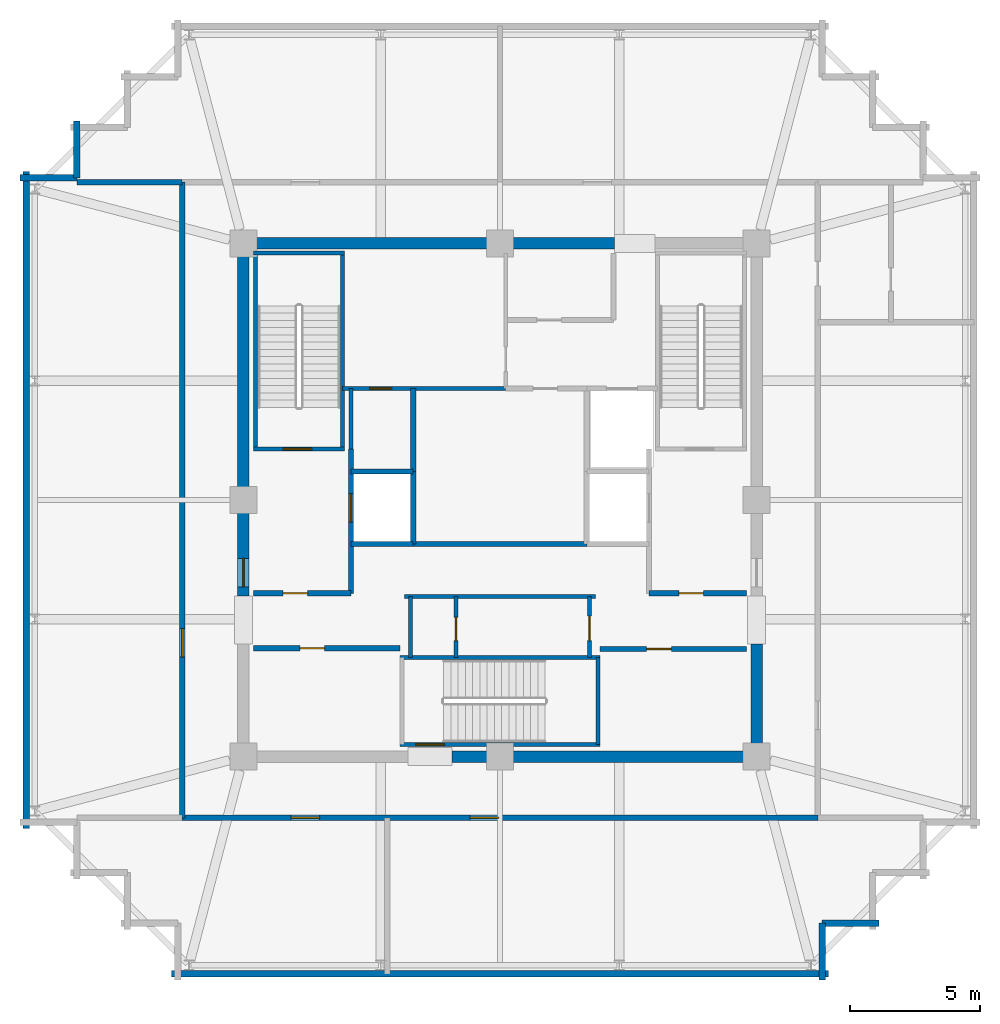
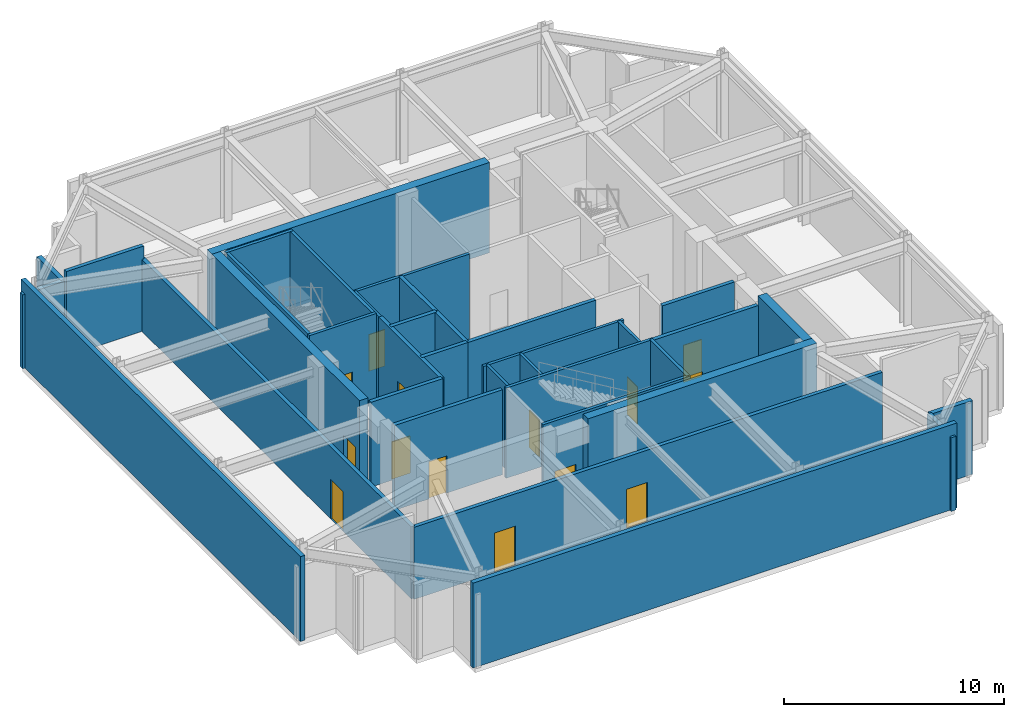
# One storey, part 2 of 5: 36 walls, 14 doors, 14 openings.
"""IFC4 building model written with IfcOpenShell, lengths in metres."""

from ifc_helpers import new_model, si_unit, direction, frame, frame_2d, origin, place, context, subcontext, project, spatial, rectangle, extrude, material, layer, layer_set, type_object, element, fill, save


model = new_model("IFC4")

# Units and contexts
model_context = context("Model", 3, precision=1e-05, world=origin(), true_north=direction((0.0, 1.0)))
body_context = subcontext(model_context, "Body", "Model", "MODEL_VIEW")
ifc_project = project(units=[si_unit("LENGTHUNIT", "METRE"), si_unit("AREAUNIT", "SQUARE_METRE"), si_unit("VOLUMEUNIT", "CUBIC_METRE"), si_unit("PLANEANGLEUNIT", "RADIAN"), si_unit("MASSUNIT", "GRAM", prefix="KILO")], contexts=[model_context])

# Site, building, storey
site_placement = place(None, origin())
site = spatial("IfcSite", under=ifc_project, at=site_placement, CompositionType="ELEMENT")
building_placement = place(site_placement, origin())
building = spatial("IfcBuilding", under=site, at=building_placement, Name="Kolvaren Belvedere", CompositionType="ELEMENT")
storey_placement = place(building_placement, frame((0.0, 0.0, 277.39990234375)))
storey = spatial("IfcBuildingStorey", under=building, at=storey_placement, Name="L79", CompositionType="ELEMENT", Elevation=277.39990234375)

# Walls
ifc_material_1 = material(Name="Concrete C50/60", Category="concrete")
ifc_layer_1 = layer(ifc_material_1, 0.449951171875)
ifc_layer_set_1 = layer_set([ifc_layer_1], Name="Concrete C50/60")
wall_type_1 = type_object("IfcWallType", Name="CW-CORE-450", PredefinedType="SHEAR", material=ifc_layer_set_1)
wall_1_placement = place(storey_placement, frame((10.125, -9.89990234375, 0.0), z_axis=(0.0, 0.0, 1.0), x_axis=(-1.0, 0.0, 0.0)))
element("IfcWall", 1, at=wall_1_placement, inside=storey, type_object=wall_type_1, Name="L79 South Core Shear Wall 1", PredefinedType="SHEAR", context=body_context, shape_type="SweptSolid", body=[
    extrude(rectangle(XDim=11.985107421875, YDim=0.449951171875, at=frame_2d((5.99267578125, 0.0))), origin(), (0.0, 0.0, 1.0), 5.0),
])
wall_2_placement = place(storey_placement, frame((-10.125, 9.89990234375, 0.0), z_axis=(0.0, 0.0, 1.0), x_axis=(1.0, 0.0, 0.0)))
element("IfcWall", 2, at=wall_2_placement, inside=storey, type_object=wall_type_1, Name="L79 North Core Shear Wall 1", PredefinedType="SHEAR", context=body_context, shape_type="SweptSolid", body=[
    extrude(rectangle(XDim=14.544921875, YDim=0.449951171875, at=frame_2d((7.2724609375, 0.0))), origin(), (0.0, 0.0, 1.0), 5.0),
])
wall_3_placement = place(storey_placement, frame((9.89990234375, -9.675048828125, 0.0), z_axis=(0.0, 0.0, 1.0), x_axis=(0.0, 1.0, 0.0)))
element("IfcWall", 3, at=wall_3_placement, inside=storey, type_object=wall_type_1, Name="L79 East Core Shear Wall 1", PredefinedType="SHEAR", context=body_context, shape_type="SweptSolid", body=[
    extrude(rectangle(XDim=4.125, YDim=0.449951171875, at=frame_2d((2.0625, 0.0))), origin(), (0.0, 0.0, 1.0), 5.0),
])

# Wall, opening, door
wall_4_placement = place(storey_placement, frame((-9.89990234375, -3.699951171875, 0.0), z_axis=(0.0, 0.0, 1.0), x_axis=(0.0, 1.0, 0.0)))
wall_4 = element("IfcWall", 4, at=wall_4_placement, inside=storey, type_object=wall_type_1, Name="L79 West Core Shear Wall 2", PredefinedType="SHEAR", context=body_context, shape_type="SweptSolid", body=[
    extrude(rectangle(XDim=13.375, YDim=0.449951171875, at=frame_2d((6.6875, 0.0))), origin(), (0.0, 0.0, 1.0), 5.0),
])
opening_1_placement = place(wall_4_placement, frame((0.35009765625, 0.0, 0.0)))
opening_1 = element("IfcOpeningElement", 5, at=opening_1_placement, cuts=wall_4, Name="Opening D-FD90", PredefinedType="OPENING", context=body_context, shape_type="SweptSolid", body=[
    extrude(rectangle(XDim=1.10009765625, YDim=2.199951171875, at=frame_2d((0.550048828125, 1.10009765625))), frame((0.0, 0.23486328125, 0.0), z_axis=(0.0, -1.0, 0.0), x_axis=(1.0, 0.0, 0.0)), (0.0, 0.0, 1.0), 0.469970703125),
])
ifc_material_2 = material(Name="Painted hollow stainless steel", Category="steel")
door_type_1 = type_object("IfcDoorType", Name="DR-FD90-1100", OperationType="NOTDEFINED", PredefinedType="DOOR", material=ifc_material_2)
door_1_placement = place(opening_1_placement, origin())
door_1 = element("IfcDoor", 6, at=door_1_placement, inside=storey, type_object=door_type_1, Name="L79 West Firefighting Lobby Fire Door", OperationType="SINGLE_SWING_LEFT", OverallHeight=2.199951171875, OverallWidth=1.10009765625, PredefinedType="DOOR", context=body_context, shape_type="SweptSolid", body=[
    extrude(rectangle(XDim=1.10009765625, YDim=2.199951171875, at=frame_2d((0.550048828125, 1.10009765625))), frame((0.0, 0.02490234375, 0.0), z_axis=(0.0, -1.0, 0.0), x_axis=(1.0, 0.0, 0.0)), (0.0, 0.0, 1.0), 0.050048828125),
])
fill(opening_1, door_1)

ifc_material_3 = material(Name="Concrete C50/60", Category="concrete")
ifc_layer_2 = layer(ifc_material_3, 0.159912109375)
ifc_layer_set_2 = layer_set([ifc_layer_2], Name="Concrete C50/60")
wall_type_2 = type_object("IfcWallType", Name="CW-STAIR-160", PredefinedType="SHEAR", material=ifc_layer_set_2)
wall_5_placement = place(storey_placement, frame((-9.52001953125, 1.969970703125, 0.0), z_axis=(0.0, 0.0, 1.0), x_axis=(1.0, 0.0, 0.0)))
wall_5 = element("IfcWall", 7, at=wall_5_placement, inside=storey, type_object=wall_type_2, Name="L79 Stair ST-1 South Shear Wall", PredefinedType="SHEAR", context=body_context, shape_type="SweptSolid", body=[
    extrude(rectangle(XDim=3.52001953125, YDim=0.159912109375, at=frame_2d((1.760009765625, 0.0))), origin(), (0.0, 0.0, 1.0), 5.0),
])
opening_2_placement = place(wall_5_placement, frame((1.14990234375, 0.0, 0.0)))
opening_2 = element("IfcOpeningElement", 8, at=opening_2_placement, cuts=wall_5, Name="Opening D-FD90", PredefinedType="OPENING", context=body_context, shape_type="SweptSolid", body=[
    extrude(rectangle(XDim=1.10009765625, YDim=2.199951171875, at=frame_2d((0.550048828125, 1.10009765625))), frame((0.0, 0.08984375, 0.0), z_axis=(0.0, -1.0, 0.0), x_axis=(1.0, 0.0, 0.0)), (0.0, 0.0, 1.0), 0.179931640625),
])
door_2_placement = place(opening_2_placement, origin())
door_2 = element("IfcDoor", 9, at=door_2_placement, inside=storey, type_object=door_type_1, Name="L79 Stair ST-1 Fire Door", OperationType="SINGLE_SWING_LEFT", OverallHeight=2.199951171875, OverallWidth=1.10009765625, PredefinedType="DOOR", context=body_context, shape_type="SweptSolid", body=[
    extrude(rectangle(XDim=1.10009765625, YDim=2.199951171875, at=frame_2d((0.550048828125, 1.10009765625))), frame((0.0, 0.02490234375, 0.0), z_axis=(0.0, -1.0, 0.0), x_axis=(1.0, 0.0, 0.0)), (0.0, 0.0, 1.0), 0.050048828125),
])
fill(opening_2, door_2)

# Walls
wall_6_placement = place(storey_placement, frame((-9.52001953125, 9.530029296875, 0.0), z_axis=(0.0, 0.0, 1.0), x_axis=(1.0, 0.0, 0.0)))
element("IfcWall", 10, at=wall_6_placement, inside=storey, type_object=wall_type_2, Name="L79 Stair ST-1 North Shear Wall", PredefinedType="SHEAR", context=body_context, shape_type="SweptSolid", body=[
    extrude(rectangle(XDim=3.52001953125, YDim=0.159912109375, at=frame_2d((1.760009765625, 0.0))), origin(), (0.0, 0.0, 1.0), 5.0),
])
for number, where, z_axis, x_axis, name in (
    (11, (-9.429931640625, 1.969970703125, 0.0), (0.0, 0.0, 1.0), (0.0, 1.0, 0.0), "L79 Stair ST-1 West Shear Wall"),
    (12, (-6.080078125, 1.969970703125, 0.0), (0.0, 0.0, 1.0), (0.0, 1.0, 0.0), "L79 Stair ST-1 East Shear Wall"),
):
    element("IfcWall", number, at=place(storey_placement, frame(where, z_axis=z_axis, x_axis=x_axis)), inside=storey, type_object=wall_type_2, Name=name, PredefinedType="SHEAR", context=body_context, shape_type="SweptSolid", body=[
        extrude(rectangle(XDim=7.56005859375, YDim=0.159912109375, at=frame_2d((3.780029296875, 0.0))), origin(), (0.0, 0.0, 1.0), 5.0),
    ])

# Wall, opening, door
wall_7_placement = place(storey_placement, frame((3.860107421875, -9.429931640625, 0.0), z_axis=(0.0, 0.0, 1.0), x_axis=(-1.0, 0.0, 0.0)))
wall_7 = element("IfcWall", 13, at=wall_7_placement, inside=storey, type_object=wall_type_2, Name="L79 Stair ST-3 South Shear Wall", PredefinedType="SHEAR", context=body_context, shape_type="SweptSolid", body=[
    extrude(rectangle(XDim=7.72021484375, YDim=0.159912109375, at=frame_2d((3.860107421875, 0.0))), origin(), (0.0, 0.0, 1.0), 5.0),
])
opening_3_placement = place(wall_7_placement, frame((6.010009765625, 0.0, 0.0)))
opening_3 = element("IfcOpeningElement", 14, at=opening_3_placement, cuts=wall_7, Name="Opening D-FD90", PredefinedType="OPENING", context=body_context, shape_type="SweptSolid", body=[
    extrude(rectangle(XDim=1.10009765625, YDim=2.199951171875, at=frame_2d((0.550048828125, 1.10009765625))), frame((0.0, 0.08984375, 0.0), z_axis=(0.0, -1.0, 0.0), x_axis=(1.0, 0.0, 0.0)), (0.0, 0.0, 1.0), 0.179931640625),
])
door_3_placement = place(opening_3_placement, origin())
door_3 = element("IfcDoor", 15, at=door_3_placement, inside=storey, type_object=door_type_1, Name="L79 Stair ST-3 Exit Door", OperationType="SINGLE_SWING_RIGHT", OverallHeight=2.199951171875, OverallWidth=1.10009765625, PredefinedType="DOOR", context=body_context, shape_type="SweptSolid", body=[
    extrude(rectangle(XDim=1.10009765625, YDim=2.199951171875, at=frame_2d((0.550048828125, 1.10009765625))), frame((0.0, 0.02490234375, 0.0), z_axis=(0.0, -1.0, 0.0), x_axis=(1.0, 0.0, 0.0)), (0.0, 0.0, 1.0), 0.050048828125),
])
fill(opening_3, door_3)

# Walls
wall_8_placement = place(storey_placement, frame((-3.860107421875, -6.080078125, 0.0), z_axis=(0.0, 0.0, 1.0), x_axis=(1.0, 0.0, 0.0)))
element("IfcWall", 16, at=wall_8_placement, inside=storey, type_object=wall_type_2, Name="L79 Stair ST-3 North Shear Wall", PredefinedType="SHEAR", context=body_context, shape_type="SweptSolid", body=[
    extrude(rectangle(XDim=7.72021484375, YDim=0.159912109375, at=frame_2d((3.860107421875, 0.0))), origin(), (0.0, 0.0, 1.0), 5.0),
])
wall_9_placement = place(storey_placement, frame((3.780029296875, -9.429931640625, 0.0), z_axis=(0.0, 0.0, 1.0), x_axis=(0.0, 1.0, 0.0)))
element("IfcWall", 17, at=wall_9_placement, inside=storey, type_object=wall_type_2, Name="L79 Stair ST-3 East Shear Wall", PredefinedType="SHEAR", context=body_context, shape_type="SweptSolid", body=[
    extrude(rectangle(XDim=3.349853515625, YDim=0.159912109375, at=frame_2d((1.6748046875, 0.0))), origin(), (0.0, 0.0, 1.0), 5.0),
])
ifc_material_4 = material(Name="Insulated acoustic pale-metal louvre wall", Category="aluminium")
ifc_layer_3 = layer(ifc_material_4, 0.239990234375)
ifc_layer_set_3 = layer_set([ifc_layer_3], Name="Insulated acoustic pale-metal louvre wall")
wall_type_3 = type_object("IfcWallType", Name="WL-LOUV-240", PredefinedType="STANDARD", material=ifc_layer_set_3)
wall_10_placement = place(storey_placement, frame((12.669921875, -18.280029296875, 0.0), z_axis=(0.0, 0.0, 1.0), x_axis=(-1.0, 0.0, 0.0)))
element("IfcWall", 18, at=wall_10_placement, inside=storey, type_object=wall_type_3, Name="L79 Acoustic Louvre Facade Wall 1", PredefinedType="STANDARD", context=body_context, shape_type="SweptSolid", body=[
    extrude(rectangle(XDim=25.33984375, YDim=0.239990234375, at=frame_2d((12.669921875, 0.0))), origin(), (0.0, 0.0, 1.0), 4.7001953125),
])
wall_11_placement = place(storey_placement, frame((12.429931640625, -16.330078125, 0.0), z_axis=(0.0, 0.0, 1.0), x_axis=(0.0, -1.0, 0.0)))
element("IfcWall", 19, at=wall_11_placement, inside=storey, type_object=wall_type_3, Name="L79 Acoustic Louvre Facade Wall 2", PredefinedType="STANDARD", context=body_context, shape_type="SweptSolid", body=[
    extrude(rectangle(XDim=2.18994140625, YDim=0.239990234375, at=frame_2d((1.094970703125, 0.0))), origin(), (0.0, 0.0, 1.0), 4.0830078125),
])
for number, where, z_axis, x_axis, name in (
    (20, (14.6201171875, -16.330078125, 0.0), (0.0, 0.0, 1.0), (-1.0, 0.0, 0.0), "L79 Acoustic Louvre Facade Wall 3"),
    (21, (-16.330078125, 12.429931640625, 0.0), (0.0, 0.0, 1.0), (0.0, 1.0, 0.0), "L79 Acoustic Louvre Facade Wall 20"),
):
    element("IfcWall", number, at=place(storey_placement, frame(where, z_axis=z_axis, x_axis=x_axis)), inside=storey, type_object=wall_type_3, Name=name, PredefinedType="STANDARD", context=body_context, shape_type="SweptSolid", body=[
        extrude(rectangle(XDim=2.190185546875, YDim=0.239990234375, at=frame_2d((1.09521484375, 0.0))), origin(), (0.0, 0.0, 1.0), 4.0830078125),
    ])
wall_12_placement = place(storey_placement, frame((-18.52001953125, 12.429931640625, 0.0), z_axis=(0.0, 0.0, 1.0), x_axis=(1.0, 0.0, 0.0)))
element("IfcWall", 22, at=wall_12_placement, inside=storey, type_object=wall_type_3, Name="L79 Acoustic Louvre Facade Wall 21", PredefinedType="STANDARD", context=body_context, shape_type="SweptSolid", body=[
    extrude(rectangle(XDim=2.18994140625, YDim=0.239990234375, at=frame_2d((1.094970703125, 0.0))), origin(), (0.0, 0.0, 1.0), 4.0830078125),
])
wall_13_placement = place(storey_placement, frame((-18.280029296875, -12.669921875, 0.0), z_axis=(0.0, 0.0, 1.0), x_axis=(0.0, 1.0, 0.0)))
element("IfcWall", 23, at=wall_13_placement, inside=storey, type_object=wall_type_3, Name="L79 Acoustic Louvre Facade Wall 22", PredefinedType="STANDARD", context=body_context, shape_type="SweptSolid", body=[
    extrude(rectangle(XDim=25.33984375, YDim=0.239990234375, at=frame_2d((12.669921875, 0.0))), origin(), (0.0, 0.0, 1.0), 4.7001953125),
])

# Wall, opening, door
ifc_material_5 = material(Name="Gypsum acoustic partition assembly", Category="gypsum")
ifc_layer_4 = layer(ifc_material_5, 0.14990234375)
ifc_layer_set_4 = layer_set([ifc_layer_4], Name="Gypsum acoustic partition assembly")
wall_type_4 = type_object("IfcWallType", Name="WL-PART-150", PredefinedType="PARTITIONING", material=ifc_layer_set_4)
wall_14_placement = place(storey_placement, frame((-6.080078125, 4.300048828125, 0.0), z_axis=(0.0, 0.0, 1.0), x_axis=(1.0, 0.0, 0.0)))
wall_14 = element("IfcWall", 24, at=wall_14_placement, inside=storey, type_object=wall_type_4, Name="L79 Reclaimed Salon South Wall", PredefinedType="PARTITIONING", context=body_context, shape_type="SweptSolid", body=[
    extrude(rectangle(XDim=6.300048828125, YDim=0.14990234375, at=frame_2d((3.14990234375, 0.0))), origin(), (0.0, 0.0, 1.0), 4.7001953125),
])
opening_4_placement = place(wall_14_placement, frame((1.050048828125, 0.0, 0.0)))
opening_4 = element("IfcOpeningElement", 25, at=opening_4_placement, cuts=wall_14, Name="Opening D-INT85", PredefinedType="OPENING", context=body_context, shape_type="SweptSolid", body=[
    extrude(rectangle(XDim=0.85009765625, YDim=2.030029296875, at=frame_2d((0.425048828125, 1.01513671875))), frame((0.0, 0.0849609375, 0.0), z_axis=(0.0, -1.0, 0.0), x_axis=(1.0, 0.0, 0.0)), (0.0, 0.0, 1.0), 0.169921875),
])
ifc_material_6 = material(Name="Stained Pacific white oak", Category="timber")
door_type_2 = type_object("IfcDoorType", Name="DR-INT-850", OperationType="NOTDEFINED", PredefinedType="DOOR", material=ifc_material_6)
door_4_placement = place(opening_4_placement, origin())
door_4 = element("IfcDoor", 26, at=door_4_placement, inside=storey, type_object=door_type_2, Name="L79 NW Core Store Door", OperationType="SINGLE_SWING_RIGHT", OverallHeight=2.030029296875, OverallWidth=0.85009765625, PredefinedType="DOOR", context=body_context, shape_type="SweptSolid", body=[
    extrude(rectangle(XDim=0.85009765625, YDim=2.030029296875, at=frame_2d((0.425048828125, 1.01513671875))), frame((0.0, 0.02490234375, 0.0), z_axis=(0.0, -1.0, 0.0), x_axis=(1.0, 0.0, 0.0)), (0.0, 0.0, 1.0), 0.050048828125),
])
fill(opening_4, door_4)

# Wall
wall_15_placement = place(storey_placement, frame((-3.679931640625, -3.719970703125, 0.0), z_axis=(0.0, 0.0, 1.0), x_axis=(1.0, 0.0, 0.0)))
element("IfcWall", 27, at=wall_15_placement, inside=storey, type_object=wall_type_4, Name="L79 South Core Service North Wall", PredefinedType="PARTITIONING", context=body_context, shape_type="SweptSolid", body=[
    extrude(rectangle(XDim=7.35986328125, YDim=0.14990234375, at=frame_2d((3.679931640625, 0.0))), origin(), (0.0, 0.0, 1.0), 4.7001953125),
])

# Wall, opening, door
wall_16_placement = place(storey_placement, frame((3.449951171875, -6.080078125, 0.0), z_axis=(0.0, 0.0, 1.0), x_axis=(0.0, 1.0, 0.0)))
wall_16 = element("IfcWall", 28, at=wall_16_placement, inside=storey, type_object=wall_type_4, Name="L79 South Core Service East Wall", PredefinedType="PARTITIONING", context=body_context, shape_type="SweptSolid", body=[
    extrude(rectangle(XDim=2.360107421875, YDim=0.14990234375, at=frame_2d((1.18017578125, 0.0))), origin(), (0.0, 0.0, 1.0), 4.7001953125),
])
opening_5_placement = place(wall_16_placement, frame((0.64990234375, 0.0, 0.0)))
opening_5 = element("IfcOpeningElement", 29, at=opening_5_placement, cuts=wall_16, Name="Opening D-FD60", PredefinedType="OPENING", context=body_context, shape_type="SweptSolid", body=[
    extrude(rectangle(XDim=0.949951171875, YDim=2.06005859375, at=frame_2d((0.47509765625, 1.030029296875))), frame((0.0, 0.0849609375, 0.0), z_axis=(0.0, -1.0, 0.0), x_axis=(1.0, 0.0, 0.0)), (0.0, 0.0, 1.0), 0.169921875),
])
ifc_material_7 = material(Name="Acoustic white-oak fire door leaf", Category="timber")
door_type_3 = type_object("IfcDoorType", Name="DR-FD60-950", OperationType="NOTDEFINED", PredefinedType="DOOR", material=ifc_material_7)
door_5_placement = place(opening_5_placement, origin())
door_5 = element("IfcDoor", 30, at=door_5_placement, inside=storey, type_object=door_type_3, Name="L79 Core Service Room Door", OperationType="SINGLE_SWING_LEFT", OverallHeight=2.06005859375, OverallWidth=0.949951171875, PredefinedType="DOOR", context=body_context, shape_type="SweptSolid", body=[
    extrude(rectangle(XDim=0.949951171875, YDim=2.06005859375, at=frame_2d((0.47509765625, 1.030029296875))), frame((0.0, 0.02490234375, 0.0), z_axis=(0.0, -1.0, 0.0), x_axis=(1.0, 0.0, 0.0)), (0.0, 0.0, 1.0), 0.050048828125),
])
fill(opening_5, door_5)

# Wall
wall_17_placement = place(storey_placement, frame((-3.449951171875, -6.080078125, 0.0), z_axis=(0.0, 0.0, 1.0), x_axis=(0.0, 1.0, 0.0)))
element("IfcWall", 31, at=wall_17_placement, inside=storey, type_object=wall_type_4, Name="L79 South Core Service West Wall", PredefinedType="PARTITIONING", context=body_context, shape_type="SweptSolid", body=[
    extrude(rectangle(XDim=2.360107421875, YDim=0.14990234375, at=frame_2d((1.18017578125, 0.0))), origin(), (0.0, 0.0, 1.0), 4.7001953125),
])

# Wall, opening, door
wall_18_placement = place(storey_placement, frame((-1.699951171875, -6.080078125, 0.0), z_axis=(0.0, 0.0, 1.0), x_axis=(0.0, 1.0, 0.0)))
wall_18 = element("IfcWall", 32, at=wall_18_placement, inside=storey, type_object=wall_type_4, Name="L79 Core Service Divider", PredefinedType="PARTITIONING", context=body_context, shape_type="SweptSolid", body=[
    extrude(rectangle(XDim=2.360107421875, YDim=0.14990234375, at=frame_2d((1.18017578125, 0.0))), origin(), (0.0, 0.0, 1.0), 4.7001953125),
])
opening_6_placement = place(wall_18_placement, frame((0.64990234375, 0.0, 0.0)))
opening_6 = element("IfcOpeningElement", 33, at=opening_6_placement, cuts=wall_18, Name="Opening D-INT90", PredefinedType="OPENING", context=body_context, shape_type="SweptSolid", body=[
    extrude(rectangle(XDim=0.89990234375, YDim=2.06005859375, at=frame_2d((0.449951171875, 1.030029296875))), frame((0.0, 0.0849609375, 0.0), z_axis=(0.0, -1.0, 0.0), x_axis=(1.0, 0.0, 0.0)), (0.0, 0.0, 1.0), 0.169921875),
])
ifc_material_8 = material(Name="Stained Pacific white oak", Category="timber")
door_type_4 = type_object("IfcDoorType", Name="DR-INT-900", OperationType="NOTDEFINED", PredefinedType="DOOR", material=ifc_material_8)
door_6_placement = place(opening_6_placement, origin())
door_6 = element("IfcDoor", 34, at=door_6_placement, inside=storey, type_object=door_type_4, Name="L79 Telecom Inner Door", OperationType="SINGLE_SWING_RIGHT", OverallHeight=2.06005859375, OverallWidth=0.89990234375, PredefinedType="DOOR", context=body_context, shape_type="SweptSolid", body=[
    extrude(rectangle(XDim=0.89990234375, YDim=2.06005859375, at=frame_2d((0.449951171875, 1.030029296875))), frame((0.0, 0.02490234375, 0.0), z_axis=(0.0, -1.0, 0.0), x_axis=(1.0, 0.0, 0.0)), (0.0, 0.0, 1.0), 0.050048828125),
])
fill(opening_6, door_6)

# Wall
wall_19_placement = place(storey_placement, frame((-5.75, 1.969970703125, 0.0), z_axis=(0.0, 0.0, 1.0), x_axis=(0.0, 1.0, 0.0)))
element("IfcWall", 35, at=wall_19_placement, inside=storey, type_object=wall_type_4, Name="L79 NW Service Room West Wall", PredefinedType="PARTITIONING", context=body_context, shape_type="SweptSolid", body=[
    extrude(rectangle(XDim=2.330078125, YDim=0.14990234375, at=frame_2d((1.1650390625, 0.0))), origin(), (0.0, 0.0, 1.0), 4.7001953125),
])

# Wall, opening, door
ifc_material_9 = material(Name="Concrete C50/60", Category="concrete")
ifc_layer_5 = layer(ifc_material_9, 0.199951171875)
ifc_layer_set_5 = layer_set([ifc_layer_5], Name="Concrete C50/60")
wall_type_5 = type_object("IfcWallType", Name="WL-SHAFT-200", PredefinedType="SOLIDWALL", material=ifc_layer_set_5)
wall_20_placement = place(storey_placement, frame((-9.52001953125, -3.60009765625, 0.0), z_axis=(0.0, 0.0, 1.0), x_axis=(1.0, 0.0, 0.0)))
wall_20 = element("IfcWall", 36, at=wall_20_placement, inside=storey, type_object=wall_type_5, Name="L79 West FSAE Lobby South Wall", PredefinedType="SOLIDWALL", context=body_context, shape_type="SweptSolid", body=[
    extrude(rectangle(XDim=3.77001953125, YDim=0.199951171875, at=frame_2d((1.885009765625, 0.0))), origin(), (0.0, 0.0, 1.0), 4.7001953125),
])
opening_7_placement = place(wall_20_placement, frame((1.14990234375, 0.0, 0.0)))
opening_7 = element("IfcOpeningElement", 37, at=opening_7_placement, cuts=wall_20, Name="Opening D-FD60", PredefinedType="OPENING", context=body_context, shape_type="SweptSolid", body=[
    extrude(rectangle(XDim=0.949951171875, YDim=2.06005859375, at=frame_2d((0.47509765625, 1.030029296875))), frame((0.0, 0.10986328125, 0.0), z_axis=(0.0, -1.0, 0.0), x_axis=(1.0, 0.0, 0.0)), (0.0, 0.0, 1.0), 0.219970703125),
])
door_7_placement = place(opening_7_placement, origin())
door_7 = element("IfcDoor", 38, at=door_7_placement, inside=storey, type_object=door_type_3, Name="L79 SW Lobby Fire Door", OperationType="SINGLE_SWING_LEFT", OverallHeight=2.06005859375, OverallWidth=0.949951171875, PredefinedType="DOOR", context=body_context, shape_type="SweptSolid", body=[
    extrude(rectangle(XDim=0.949951171875, YDim=2.06005859375, at=frame_2d((0.47509765625, 1.030029296875))), frame((0.0, 0.02490234375, 0.0), z_axis=(0.0, -1.0, 0.0), x_axis=(1.0, 0.0, 0.0)), (0.0, 0.0, 1.0), 0.050048828125),
])
fill(opening_7, door_7)

wall_21_placement = place(storey_placement, frame((-5.75, -3.60009765625, 0.0), z_axis=(0.0, 0.0, 1.0), x_axis=(0.0, 1.0, 0.0)))
wall_21 = element("IfcWall", 39, at=wall_21_placement, inside=storey, type_object=wall_type_5, Name="L79 FSAE FS1 Landing Wall", PredefinedType="SOLIDWALL", context=body_context, shape_type="SweptSolid", body=[
    extrude(rectangle(XDim=5.570068359375, YDim=0.199951171875, at=frame_2d((2.78515625, 0.0))), origin(), (0.0, 0.0, 1.0), 4.7001953125),
])
opening_8_placement = place(wall_21_placement, frame((2.75, 0.0, 0.0)))
opening_8 = element("IfcOpeningElement", 40, at=opening_8_placement, cuts=wall_21, Name="Opening LD-11", PredefinedType="OPENING", context=body_context, shape_type="SweptSolid", body=[
    extrude(rectangle(XDim=1.10009765625, YDim=2.199951171875, at=frame_2d((0.550048828125, 1.10009765625))), frame((0.0, 0.10986328125, 0.0), z_axis=(0.0, -1.0, 0.0), x_axis=(1.0, 0.0, 0.0)), (0.0, 0.0, 1.0), 0.219970703125),
])
ifc_material_10 = material(Name="Brushed stainless steel", Category="steel")
door_type_5 = type_object("IfcDoorType", Name="DR-LIFT-1100", OperationType="DOUBLE_DOOR_SLIDING", PredefinedType="DOOR", material=ifc_material_10)
door_8_placement = place(opening_8_placement, origin())
door_8 = element("IfcDoor", 41, at=door_8_placement, inside=storey, type_object=door_type_5, Name="L79 Firefighting Lift FS1 Landing Door", OperationType="DOUBLE_DOOR_SLIDING", OverallHeight=2.199951171875, OverallWidth=1.10009765625, PredefinedType="DOOR", context=body_context, shape_type="SweptSolid", body=[
    extrude(rectangle(XDim=1.10009765625, YDim=2.199951171875, at=frame_2d((0.550048828125, 1.10009765625))), frame((0.0, 0.02490234375, 0.0), z_axis=(0.0, -1.0, 0.0), x_axis=(1.0, 0.0, 0.0)), (0.0, 0.0, 1.0), 0.050048828125),
])
fill(opening_8, door_8)

# Walls
wall_22_placement = place(storey_placement, frame((-3.35009765625, -1.699951171875, 0.0), z_axis=(0.0, 0.0, 1.0), x_axis=(0.0, 1.0, 0.0)))
element("IfcWall", 42, at=wall_22_placement, inside=storey, type_object=wall_type_5, Name="L79 FSAE FS1 Back Wall", PredefinedType="SOLIDWALL", context=body_context, shape_type="SweptSolid", body=[
    extrude(rectangle(XDim=2.800048828125, YDim=0.199951171875, at=frame_2d((1.39990234375, 0.0))), origin(), (0.0, 0.0, 1.0), 4.7001953125),
])
for number, where, z_axis, x_axis, name in (
    (43, (-5.75, -1.699951171875, 0.0), (0.0, 0.0, 1.0), (1.0, 0.0, 0.0), "L79 FSAE FS1 South Wall"),
    (44, (-5.75, 1.10009765625, 0.0), (0.0, 0.0, 1.0), (1.0, 0.0, 0.0), "L79 FSAE FS1 North Wall"),
):
    element("IfcWall", number, at=place(storey_placement, frame(where, z_axis=z_axis, x_axis=x_axis)), inside=storey, type_object=wall_type_5, Name=name, PredefinedType="SOLIDWALL", context=body_context, shape_type="SweptSolid", body=[
        extrude(rectangle(XDim=2.39990234375, YDim=0.199951171875, at=frame_2d((1.199951171875, 0.0))), origin(), (0.0, 0.0, 1.0), 4.7001953125),
    ])

# Wall, opening, door
wall_23_placement = place(storey_placement, frame((5.75, -3.60009765625, 0.0), z_axis=(0.0, 0.0, 1.0), x_axis=(1.0, 0.0, 0.0)))
wall_23 = element("IfcWall", 45, at=wall_23_placement, inside=storey, type_object=wall_type_5, Name="L79 East FSAE Lobby South Wall", PredefinedType="SOLIDWALL", context=body_context, shape_type="SweptSolid", body=[
    extrude(rectangle(XDim=3.77001953125, YDim=0.199951171875, at=frame_2d((1.885009765625, 0.0))), origin(), (0.0, 0.0, 1.0), 4.7001953125),
])
opening_9_placement = place(wall_23_placement, frame((1.14990234375, 0.0, 0.0)))
opening_9 = element("IfcOpeningElement", 46, at=opening_9_placement, cuts=wall_23, Name="Opening D-FD60", PredefinedType="OPENING", context=body_context, shape_type="SweptSolid", body=[
    extrude(rectangle(XDim=0.949951171875, YDim=2.06005859375, at=frame_2d((0.47509765625, 1.030029296875))), frame((0.0, 0.10986328125, 0.0), z_axis=(0.0, -1.0, 0.0), x_axis=(1.0, 0.0, 0.0)), (0.0, 0.0, 1.0), 0.219970703125),
])
door_9_placement = place(opening_9_placement, origin())
door_9 = element("IfcDoor", 47, at=door_9_placement, inside=storey, type_object=door_type_3, Name="L79 SE Lift Lobby Fire Door", OperationType="SINGLE_SWING_RIGHT", OverallHeight=2.06005859375, OverallWidth=0.949951171875, PredefinedType="DOOR", context=body_context, shape_type="SweptSolid", body=[
    extrude(rectangle(XDim=0.949951171875, YDim=2.06005859375, at=frame_2d((0.47509765625, 1.030029296875))), frame((0.0, 0.02490234375, 0.0), z_axis=(0.0, -1.0, 0.0), x_axis=(1.0, 0.0, 0.0)), (0.0, 0.0, 1.0), 0.050048828125),
])
fill(opening_9, door_9)

wall_24_placement = place(storey_placement, frame((-9.52001953125, -5.719970703125, 0.0), z_axis=(0.0, 0.0, 1.0), x_axis=(1.0, 0.0, 0.0)))
wall_24 = element("IfcWall", 48, at=wall_24_placement, inside=storey, type_object=wall_type_5, Name="L79 Reclaimed Mid Room North Wall", PredefinedType="SOLIDWALL", context=body_context, shape_type="SweptSolid", body=[
    extrude(rectangle(XDim=5.659912109375, YDim=0.199951171875, at=frame_2d((2.830078125, 0.0))), origin(), (0.0, 0.0, 1.0), 4.7001953125),
])
opening_10_placement = place(wall_24_placement, frame((1.800048828125, 0.0, 0.0)))
opening_10 = element("IfcOpeningElement", 49, at=opening_10_placement, cuts=wall_24, Name="Opening D-FD60", PredefinedType="OPENING", context=body_context, shape_type="SweptSolid", body=[
    extrude(rectangle(XDim=0.949951171875, YDim=2.06005859375, at=frame_2d((0.47509765625, 1.030029296875))), frame((0.0, 0.10986328125, 0.0), z_axis=(0.0, -1.0, 0.0), x_axis=(1.0, 0.0, 0.0)), (0.0, 0.0, 1.0), 0.219970703125),
])
door_10_placement = place(opening_10_placement, origin())
door_10 = element("IfcDoor", 50, at=door_10_placement, inside=storey, type_object=door_type_3, Name="L79 Smoke Control Mechanical Plant Entry Door", OperationType="SINGLE_SWING_LEFT", OverallHeight=2.06005859375, OverallWidth=0.949951171875, PredefinedType="DOOR", context=body_context, shape_type="SweptSolid", body=[
    extrude(rectangle(XDim=0.949951171875, YDim=2.06005859375, at=frame_2d((0.47509765625, 1.030029296875))), frame((0.0, 0.02490234375, 0.0), z_axis=(0.0, -1.0, 0.0), x_axis=(1.0, 0.0, 0.0)), (0.0, 0.0, 1.0), 0.050048828125),
])
fill(opening_10, door_10)

wall_25_placement = place(storey_placement, frame((3.860107421875, -5.75, 0.0), z_axis=(0.0, 0.0, 1.0), x_axis=(1.0, 0.0, 0.0)))
wall_25 = element("IfcWall", 51, at=wall_25_placement, inside=storey, type_object=wall_type_5, Name="L79 Machine Room Wall", PredefinedType="SOLIDWALL", context=body_context, shape_type="SweptSolid", body=[
    extrude(rectangle(XDim=5.659912109375, YDim=0.199951171875, at=frame_2d((2.830078125, 0.0))), origin(), (0.0, 0.0, 1.0), 4.7001953125),
])
opening_11_placement = place(wall_25_placement, frame((1.800048828125, 0.0, 0.0)))
opening_11 = element("IfcOpeningElement", 52, at=opening_11_placement, cuts=wall_25, Name="Opening D-FD60", PredefinedType="OPENING", context=body_context, shape_type="SweptSolid", body=[
    extrude(rectangle(XDim=0.949951171875, YDim=2.06005859375, at=frame_2d((0.47509765625, 1.030029296875))), frame((0.0, 0.10986328125, 0.0), z_axis=(0.0, -1.0, 0.0), x_axis=(1.0, 0.0, 0.0)), (0.0, 0.0, 1.0), 0.219970703125),
])
door_11_placement = place(opening_11_placement, origin())
door_11 = element("IfcDoor", 53, at=door_11_placement, inside=storey, type_object=door_type_3, Name="L79 Machine Room Door", OperationType="SINGLE_SWING_RIGHT", OverallHeight=2.06005859375, OverallWidth=0.949951171875, PredefinedType="DOOR", context=body_context, shape_type="SweptSolid", body=[
    extrude(rectangle(XDim=0.949951171875, YDim=2.06005859375, at=frame_2d((0.47509765625, 1.030029296875))), frame((0.0, 0.02490234375, 0.0), z_axis=(0.0, -1.0, 0.0), x_axis=(1.0, 0.0, 0.0)), (0.0, 0.0, 1.0), 0.050048828125),
])
fill(opening_11, door_11)

# Walls
wall_26_placement = place(storey_placement, frame((-3.35009765625, -1.699951171875, 0.0), z_axis=(0.0, 0.0, 1.0), x_axis=(1.0, 0.0, 0.0)))
element("IfcWall", 54, at=wall_26_placement, inside=storey, type_object=wall_type_5, Name="L79 Central Core Room South Wall", PredefinedType="SOLIDWALL", context=body_context, shape_type="SweptSolid", body=[
    extrude(rectangle(XDim=6.7001953125, YDim=0.199951171875, at=frame_2d((3.35009765625, 0.0))), origin(), (0.0, 0.0, 1.0), 4.7001953125),
])
wall_27_placement = place(storey_placement, frame((-3.35009765625, 1.10009765625, 0.0), z_axis=(0.0, 0.0, 1.0), x_axis=(0.0, 1.0, 0.0)))
element("IfcWall", 55, at=wall_27_placement, inside=storey, type_object=wall_type_5, Name="L79 Central Core Room West Wall", PredefinedType="SOLIDWALL", context=body_context, shape_type="SweptSolid", body=[
    extrude(rectangle(XDim=3.199951171875, YDim=0.199951171875, at=frame_2d((1.60009765625, 0.0))), origin(), (0.0, 0.0, 1.0), 4.7001953125),
])

# Wall, openings, doors
wall_28_placement = place(storey_placement, frame((-12.260009765625, -12.260009765625, 0.0), z_axis=(0.0, 0.0, 1.0), x_axis=(1.0, 0.0, 0.0)))
wall_28 = element("IfcWall", 56, at=wall_28_placement, inside=storey, type_object=wall_type_5, Name="L79 South Corridor Wall", PredefinedType="SOLIDWALL", context=body_context, shape_type="SweptSolid", body=[
    extrude(rectangle(XDim=24.52001953125, YDim=0.199951171875, at=frame_2d((12.260009765625, 0.0))), origin(), (0.0, 0.0, 1.0), 3.989013671875),
])
opening_12_placement = place(wall_28_placement, frame((4.199951171875, 0.0, 0.0)))
opening_12 = element("IfcOpeningElement", 57, at=opening_12_placement, cuts=wall_28, Name="Opening D-FD90", PredefinedType="OPENING", context=body_context, shape_type="SweptSolid", body=[
    extrude(rectangle(XDim=1.10009765625, YDim=2.199951171875, at=frame_2d((0.550048828125, 1.10009765625))), frame((0.0, 0.10986328125, 0.0), z_axis=(0.0, -1.0, 0.0), x_axis=(1.0, 0.0, 0.0)), (0.0, 0.0, 1.0), 0.219970703125),
])
opening_13_placement = place(wall_28_placement, frame((11.110107421875, 0.0, 0.0)))
opening_13 = element("IfcOpeningElement", 58, at=opening_13_placement, cuts=wall_28, Name="Opening D-FD90", PredefinedType="OPENING", context=body_context, shape_type="SweptSolid", body=[
    extrude(rectangle(XDim=1.10009765625, YDim=2.199951171875, at=frame_2d((0.550048828125, 1.10009765625))), frame((0.0, 0.10986328125, 0.0), z_axis=(0.0, -1.0, 0.0), x_axis=(1.0, 0.0, 0.0)), (0.0, 0.0, 1.0), 0.219970703125),
])
door_12_placement = place(opening_12_placement, origin())
door_12 = element("IfcDoor", 59, at=door_12_placement, inside=storey, type_object=door_type_1, Name="L79 West Tuned Liquid Damper Mechanical Plant Door", OperationType="SINGLE_SWING_LEFT", OverallHeight=2.199951171875, OverallWidth=1.10009765625, PredefinedType="DOOR", context=body_context, shape_type="SweptSolid", body=[
    extrude(rectangle(XDim=1.10009765625, YDim=2.199951171875, at=frame_2d((0.550048828125, 1.10009765625))), frame((0.0, 0.02490234375, 0.0), z_axis=(0.0, -1.0, 0.0), x_axis=(1.0, 0.0, 0.0)), (0.0, 0.0, 1.0), 0.050048828125),
])
fill(opening_12, door_12)
door_13_placement = place(opening_13_placement, origin())
door_13 = element("IfcDoor", 60, at=door_13_placement, inside=storey, type_object=door_type_1, Name="L79 East Tuned Liquid Damper Mechanical Plant Door", OperationType="SINGLE_SWING_RIGHT", OverallHeight=2.199951171875, OverallWidth=1.10009765625, PredefinedType="DOOR", context=body_context, shape_type="SweptSolid", body=[
    extrude(rectangle(XDim=1.10009765625, YDim=2.199951171875, at=frame_2d((0.550048828125, 1.10009765625))), frame((0.0, 0.02490234375, 0.0), z_axis=(0.0, -1.0, 0.0), x_axis=(1.0, 0.0, 0.0)), (0.0, 0.0, 1.0), 0.050048828125),
])
fill(opening_13, door_13)

# Wall, opening, door
wall_29_placement = place(storey_placement, frame((-12.260009765625, -12.260009765625, 0.0), z_axis=(0.0, 0.0, 1.0), x_axis=(0.0, 1.0, 0.0)))
wall_29 = element("IfcWall", 61, at=wall_29_placement, inside=storey, type_object=wall_type_5, Name="L79 West Corridor Wall", PredefinedType="SOLIDWALL", context=body_context, shape_type="SweptSolid", body=[
    extrude(rectangle(XDim=24.52001953125, YDim=0.199951171875, at=frame_2d((12.260009765625, 0.0))), origin(), (0.0, 0.0, 1.0), 3.989013671875),
])
opening_14_placement = place(wall_29_placement, frame((6.199951171875, 0.0, 0.0)))
opening_14 = element("IfcOpeningElement", 62, at=opening_14_placement, cuts=wall_29, Name="Opening D-FD90", PredefinedType="OPENING", context=body_context, shape_type="SweptSolid", body=[
    extrude(rectangle(XDim=1.10009765625, YDim=2.199951171875, at=frame_2d((0.550048828125, 1.10009765625))), frame((0.0, 0.10986328125, 0.0), z_axis=(0.0, -1.0, 0.0), x_axis=(1.0, 0.0, 0.0)), (0.0, 0.0, 1.0), 0.219970703125),
])
door_14_placement = place(opening_14_placement, origin())
door_14 = element("IfcDoor", 63, at=door_14_placement, inside=storey, type_object=door_type_1, Name="L79 Emergency Turbine Generator Mechanical Plant Door", OperationType="SINGLE_SWING_LEFT", OverallHeight=2.199951171875, OverallWidth=1.10009765625, PredefinedType="DOOR", context=body_context, shape_type="SweptSolid", body=[
    extrude(rectangle(XDim=1.10009765625, YDim=2.199951171875, at=frame_2d((0.550048828125, 1.10009765625))), frame((0.0, 0.02490234375, 0.0), z_axis=(0.0, -1.0, 0.0), x_axis=(1.0, 0.0, 0.0)), (0.0, 0.0, 1.0), 0.050048828125),
])
fill(opening_14, door_14)

# Wall
wall_30_placement = place(storey_placement, frame((-16.320068359375, 12.260009765625, 0.0), z_axis=(0.0, 0.0, 1.0), x_axis=(1.0, 0.0, 0.0)))
element("IfcWall", 64, at=wall_30_placement, inside=storey, type_object=wall_type_5, Name="L79 Sector Wall PW-L79-QNW", PredefinedType="SOLIDWALL", context=body_context, shape_type="SweptSolid", body=[
    extrude(rectangle(XDim=4.06005859375, YDim=0.199951171875, at=frame_2d((2.030029296875, 0.0))), origin(), (0.0, 0.0, 1.0), 4.7001953125),
])

save(model, "model.ifc")
